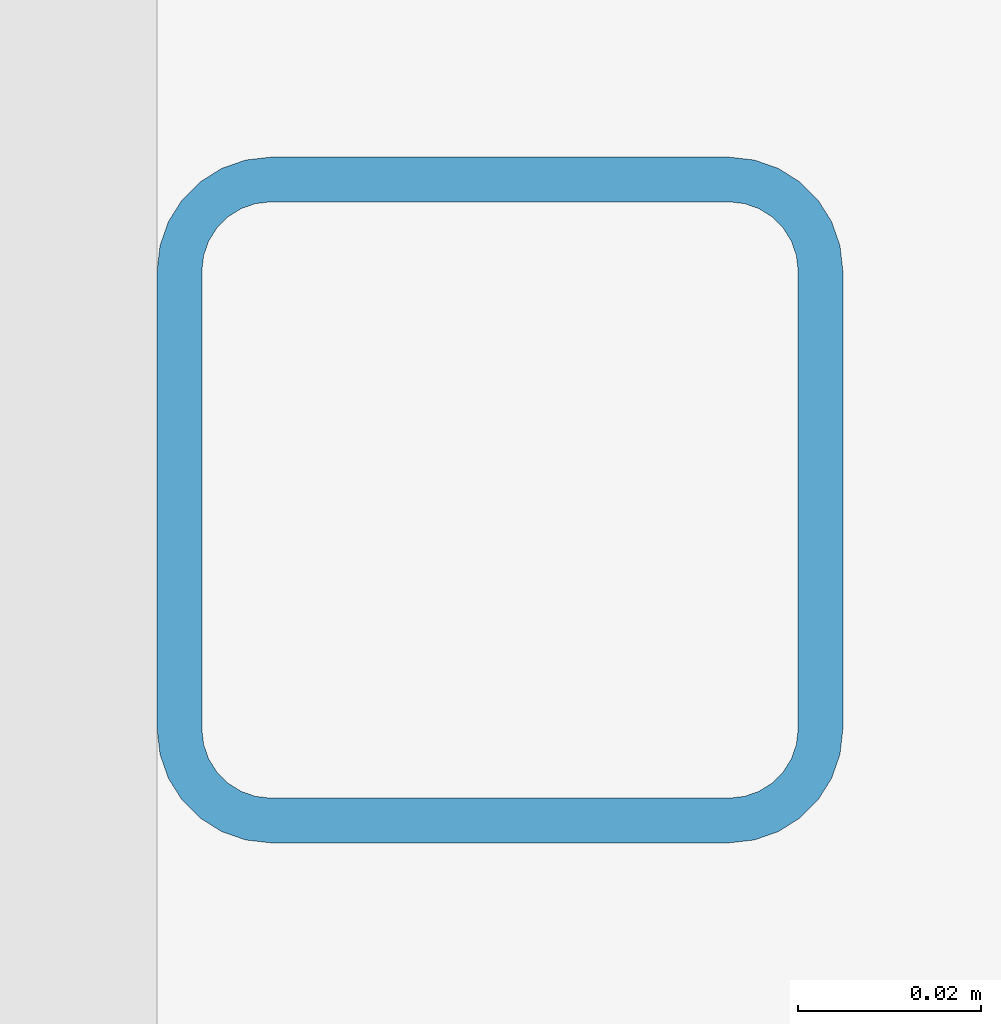
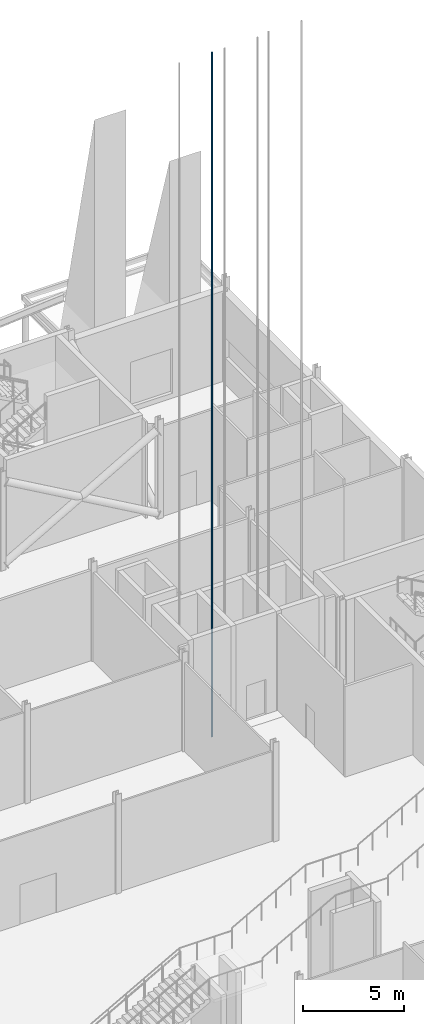
# One storey, part 63 of 139: 1 member.
"""IFC4 building model written with IfcOpenShell, lengths in metres."""

from ifc_helpers import new_model, si_unit, direction, frame, origin, origin_2d, place, context, subcontext, project, spatial, hollow_rectangle, extrude, material, material_profile, profile_set, type_object, element, save


model = new_model("IFC4")

# Units and contexts
model_context = context("Model", 3, precision=1e-05, world=origin(), true_north=direction((0.0, 1.0)))
body_context = subcontext(model_context, "Body", "Model", "MODEL_VIEW")
ifc_project = project(units=[si_unit("LENGTHUNIT", "METRE"), si_unit("AREAUNIT", "SQUARE_METRE"), si_unit("VOLUMEUNIT", "CUBIC_METRE"), si_unit("PLANEANGLEUNIT", "RADIAN"), si_unit("MASSUNIT", "GRAM", prefix="KILO")], contexts=[model_context])

# Site, building, storey
site_placement = place(None, origin())
site = spatial("IfcSite", under=ifc_project, at=site_placement, CompositionType="ELEMENT")
building_placement = place(site_placement, origin())
building = spatial("IfcBuilding", under=site, at=building_placement, Name="Shorebreak Coast Museum", CompositionType="ELEMENT")
storey_placement = place(building_placement, origin())
storey = spatial("IfcBuildingStorey", under=building, at=storey_placement, Name="L00", CompositionType="ELEMENT", Elevation=0.0)

# Member
ifc_material = material(Name="Steel Grade C450L0", Category="steel")
ifc_material_profile = material_profile(ifc_material, hollow_rectangle(XDim=0.074951171875, YDim=0.074951171875, WallThickness=0.0048828125, InnerFilletRadius=0.007568359375, OuterFilletRadius=0.012451171875, at=origin_2d()), Name="75x75x5.0 SHS")
ifc_profile_set = profile_set([ifc_material_profile], Name="Steel Grade C450L0")
member_type = type_object("IfcMemberType", Name="Lift guide rail 75x75x5.0 SHS", PredefinedType="POST", material=ifc_profile_set)
member_placement = place(storey_placement, frame((101.83740234375, 92.10009765625, -1.5), z_axis=(0.0, 0.0, 1.0), x_axis=(1.0, 0.0, 0.0)))
element("IfcMember", 1, at=member_placement, inside=storey, type_object=member_type, Name="Lift P3 guide rail", PredefinedType="POST", context=body_context, shape_type="SweptSolid", body=[
    extrude(hollow_rectangle(XDim=0.074951171875, YDim=0.074951171875, WallThickness=0.0048828125, InnerFilletRadius=0.007568359375, OuterFilletRadius=0.012451171875, at=origin_2d()), origin(), (0.0, 0.0, 1.0), 41.39990234375),
])

save(model, "model.ifc")
